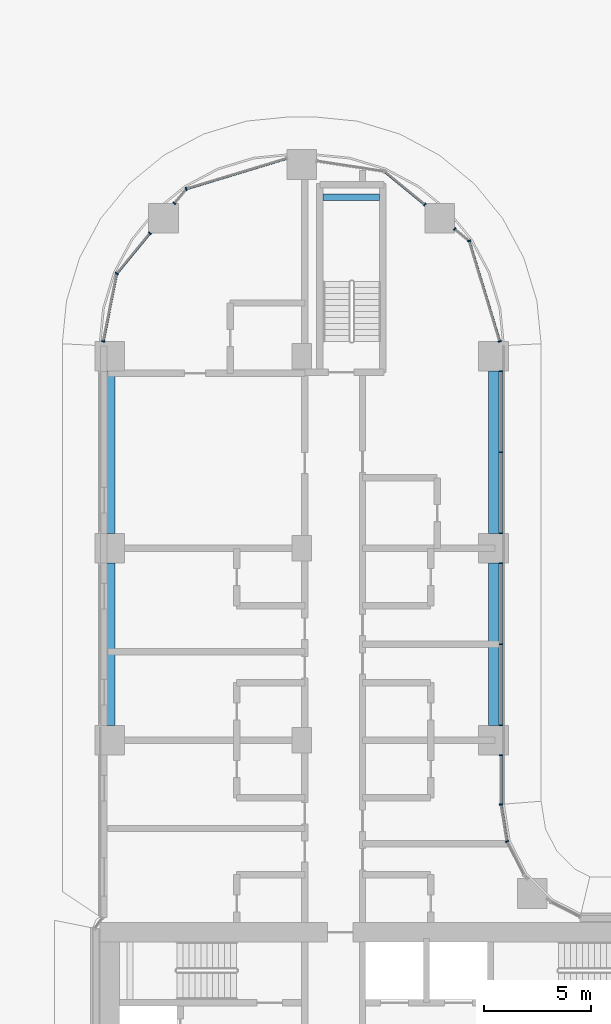
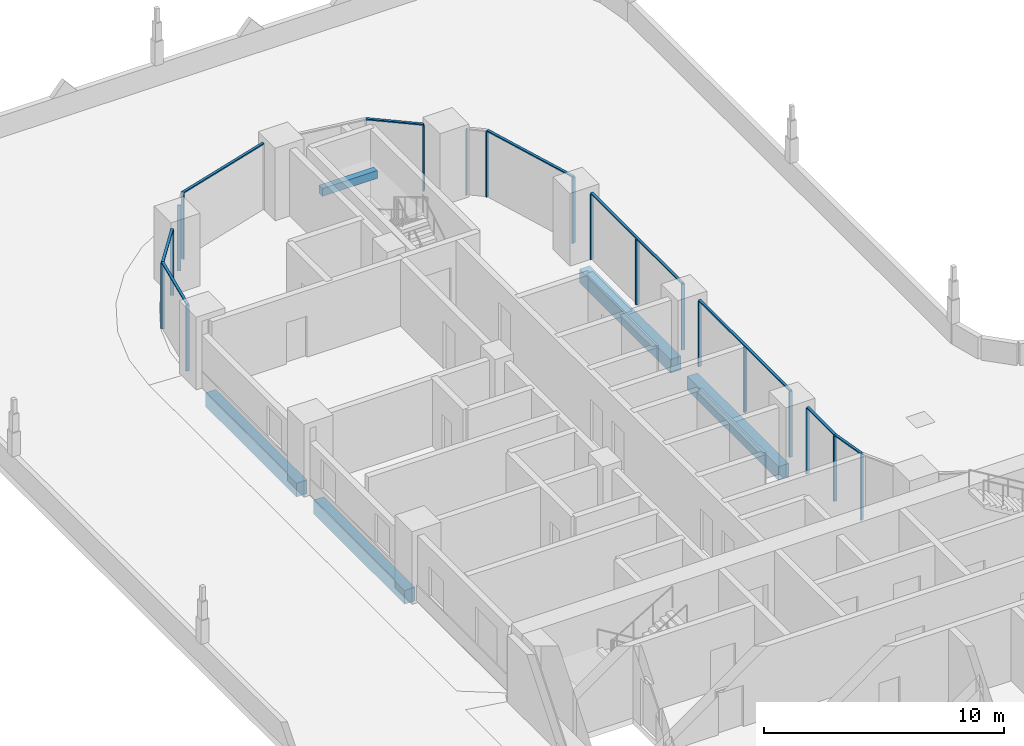
# One storey, part 5 of 51: 27 members, 5 beams, 8 elements without a shape of their own.
"""IFC4 building model written with IfcOpenShell, lengths in metres."""

from ifc_helpers import new_model, si_unit, direction, frame, origin, origin_2d, place, context, subcontext, project, spatial, rectangle, extrude, material, material_profile, profile_set, type_object, element, aggregate, save


model = new_model("IFC4")

# Units and contexts
model_context = context("Model", 3, precision=1e-05, world=origin(), true_north=direction((0.0, 1.0)))
body_context = subcontext(model_context, "Body", "Model", "MODEL_VIEW")
ifc_project = project(units=[si_unit("LENGTHUNIT", "METRE"), si_unit("AREAUNIT", "SQUARE_METRE"), si_unit("VOLUMEUNIT", "CUBIC_METRE"), si_unit("PLANEANGLEUNIT", "RADIAN"), si_unit("MASSUNIT", "GRAM", prefix="KILO")], contexts=[model_context])

# Site, building, storey
site_placement = place(None, origin())
site = spatial("IfcSite", under=ifc_project, at=site_placement, CompositionType="ELEMENT")
building_placement = place(site_placement, origin())
building = spatial("IfcBuilding", under=site, at=building_placement, Name="Ogive Portal Towers", CompositionType="ELEMENT")
storey_placement = place(building_placement, frame((0.0, 0.0, 33.5)))
storey = spatial("IfcBuildingStorey", under=building, at=storey_placement, Name="L06", CompositionType="ELEMENT", Elevation=33.5)

# Beam
ifc_material_1 = material(Name="Concrete C40/50", Category="concrete")
ifc_material_profile_1 = material_profile(ifc_material_1, rectangle(XDim=0.300048828125, YDim=0.39990234375, at=origin_2d()), Name="RC 300x400")
ifc_profile_set_1 = profile_set([ifc_material_profile_1], Name="Concrete C40/50")
beam_type_1 = type_object("IfcBeamType", Name="BEAM RC 300x400", PredefinedType="BEAM", material=ifc_profile_set_1)
beam_placement = place(storey_placement, frame((41.5, 73.949951171875, 1.449951171875), z_axis=(1.0, 0.0, 0.0), x_axis=(0.0, 1.0, 0.0)))
element("IfcBeam", 1, at=beam_placement, inside=storey, type_object=beam_type_1, Name="Landing beam L06", PredefinedType="BEAM", context=body_context, shape_type="SweptSolid", body=[
    extrude(rectangle(XDim=0.300048828125, YDim=0.39990234375, at=origin_2d()), origin(), (0.0, 0.0, 1.0), 2.64990234375),
])

# Curtain wall, members
ifc_material_2 = material(Name="Glass, clear low-iron insulated glazing", Category="glass")
curtain_wall_type = type_object("IfcCurtainWallType", Name="CW FRONT RIBBON 4500", PredefinedType="NOTDEFINED", material=ifc_material_2)
curtain_wall_1_placement = place(storey_placement, origin())
curtain_wall_1 = element("IfcCurtainWall", 2, at=curtain_wall_1_placement, inside=storey, type_object=curtain_wall_type, Name="A:L06:f06:cw0~0", PredefinedType="NOTDEFINED")
ifc_material_3 = material(Name="Aluminium 6063 anodised", Category="aluminium")
ifc_material_profile_2 = material_profile(ifc_material_3, rectangle(XDim=0.159912109375, YDim=0.06005859375, at=origin_2d()), Name="AL 60x160")
ifc_profile_set_2 = profile_set([ifc_material_profile_2], Name="Aluminium 6063 anodised")
member_type_1 = type_object("IfcMemberType", Name="CW MULLION 60x160", PredefinedType="MULLION", material=ifc_profile_set_2)
member_1_placement = place(storey_placement, frame((49.844970703125, 45.49365234375, 0.0), z_axis=(0.0, 0.0, 1.0), x_axis=(-1.0, 0.0, 0.0)))
member_1 = element("IfcMember", 3, at=member_1_placement, type_object=member_type_1, Name="mullion", PredefinedType="MULLION", context=body_context, shape_type="SweptSolid", body=[
    extrude(rectangle(XDim=0.159912109375, YDim=0.06005859375, at=origin_2d()), origin(), (0.0, 0.0, 1.0), 3.340087890625),
])
member_2_placement = place(storey_placement, frame((49.844970703125, 47.800048828125, 0.0), z_axis=(0.0, 0.0, 1.0), x_axis=(-1.0, 0.0, 0.0)))
member_2 = element("IfcMember", 4, at=member_2_placement, type_object=member_type_1, Name="mullion", PredefinedType="MULLION", context=body_context, shape_type="SweptSolid", body=[
    extrude(rectangle(XDim=0.159912109375, YDim=0.06005859375, at=origin_2d()), origin(), (0.0, 0.0, 1.0), 3.340087890625),
])

curtain_wall_2_placement = place(storey_placement, origin())
curtain_wall_2 = element("IfcCurtainWall", 5, at=curtain_wall_2_placement, inside=storey, type_object=curtain_wall_type, Name="A:L06:f06:cw0~1", PredefinedType="NOTDEFINED")
member_3_placement = place(storey_placement, frame((49.844970703125, 49.199951171875, 0.0), z_axis=(0.0, 0.0, 1.0), x_axis=(-1.0, 0.0, 0.0)))
member_3 = element("IfcMember", 6, at=member_3_placement, type_object=member_type_1, Name="mullion", PredefinedType="MULLION", context=body_context, shape_type="SweptSolid", body=[
    extrude(rectangle(XDim=0.159912109375, YDim=0.06005859375, at=origin_2d()), origin(), (0.0, 0.0, 1.0), 3.340087890625),
])
member_4_placement = place(storey_placement, frame((49.844970703125, 53.0, 0.0), z_axis=(0.0, 0.0, 1.0), x_axis=(-1.0, 0.0, 0.0)))
member_4 = element("IfcMember", 7, at=member_4_placement, type_object=member_type_1, Name="mullion", PredefinedType="MULLION", context=body_context, shape_type="SweptSolid", body=[
    extrude(rectangle(XDim=0.159912109375, YDim=0.06005859375, at=origin_2d()), origin(), (0.0, 0.0, 1.0), 3.340087890625),
])
member_5_placement = place(storey_placement, frame((49.844970703125, 56.800048828125, 0.0), z_axis=(0.0, 0.0, 1.0), x_axis=(-1.0, 0.0, 0.0)))
member_5 = element("IfcMember", 8, at=member_5_placement, type_object=member_type_1, Name="mullion", PredefinedType="MULLION", context=body_context, shape_type="SweptSolid", body=[
    extrude(rectangle(XDim=0.159912109375, YDim=0.06005859375, at=origin_2d()), origin(), (0.0, 0.0, 1.0), 3.340087890625),
])

curtain_wall_3_placement = place(storey_placement, origin())
curtain_wall_3 = element("IfcCurtainWall", 9, at=curtain_wall_3_placement, inside=storey, type_object=curtain_wall_type, Name="A:L06:f06:cw0~2", PredefinedType="NOTDEFINED")
member_6_placement = place(storey_placement, frame((49.844970703125, 58.199951171875, 0.0), z_axis=(0.0, 0.0, 1.0), x_axis=(-1.0, 0.0, 0.0)))
member_6 = element("IfcMember", 10, at=member_6_placement, type_object=member_type_1, Name="mullion", PredefinedType="MULLION", context=body_context, shape_type="SweptSolid", body=[
    extrude(rectangle(XDim=0.159912109375, YDim=0.06005859375, at=origin_2d()), origin(), (0.0, 0.0, 1.0), 3.340087890625),
])
member_7_placement = place(storey_placement, frame((49.844970703125, 62.0, 0.0), z_axis=(0.0, 0.0, 1.0), x_axis=(-1.0, 0.0, 0.0)))
member_7 = element("IfcMember", 11, at=member_7_placement, type_object=member_type_1, Name="mullion", PredefinedType="MULLION", context=body_context, shape_type="SweptSolid", body=[
    extrude(rectangle(XDim=0.159912109375, YDim=0.06005859375, at=origin_2d()), origin(), (0.0, 0.0, 1.0), 3.340087890625),
])
member_8_placement = place(storey_placement, frame((49.844970703125, 65.800048828125, 0.0), z_axis=(0.0, 0.0, 1.0), x_axis=(-1.0, 0.0, 0.0)))
member_8 = element("IfcMember", 12, at=member_8_placement, type_object=member_type_1, Name="mullion", PredefinedType="MULLION", context=body_context, shape_type="SweptSolid", body=[
    extrude(rectangle(XDim=0.159912109375, YDim=0.06005859375, at=origin_2d()), origin(), (0.0, 0.0, 1.0), 3.340087890625),
])

# Curtain wall, member
curtain_wall_4_placement = place(storey_placement, origin())
curtain_wall_4 = element("IfcCurtainWall", 13, at=curtain_wall_4_placement, inside=storey, type_object=curtain_wall_type, Name="A:L06:f02:cwa~1", PredefinedType="NOTDEFINED")
member_9_placement = place(storey_placement, frame((50.120849609375, 43.752197265625, 0.0), z_axis=(0.0, 0.0, 1.0), x_axis=(-0.891006524188, -0.45399049974, 0.0)))
member_9 = element("IfcMember", 14, at=member_9_placement, type_object=member_type_1, Name="mullion", PredefinedType="MULLION", context=body_context, shape_type="SweptSolid", body=[
    extrude(rectangle(XDim=0.159912109375, YDim=0.06005859375, at=origin_2d()), origin(), (0.0, 0.0, 1.0), 3.340087890625),
])

# Curtain wall, members
curtain_wall_5_placement = place(storey_placement, origin())
curtain_wall_5 = element("IfcCurtainWall", 15, at=curtain_wall_5_placement, inside=storey, type_object=curtain_wall_type, Name="A:L06:f07:cwa~0", PredefinedType="NOTDEFINED")
member_10_placement = place(storey_placement, frame((49.78076171875, 67.199951171875, 0.0), z_axis=(0.0, 0.0, 1.0), x_axis=(-0.956940335732, -0.290284677254, 0.0)))
member_10 = element("IfcMember", 16, at=member_10_placement, type_object=member_type_1, Name="mullion", PredefinedType="MULLION", context=body_context, shape_type="SweptSolid", body=[
    extrude(rectangle(XDim=0.159912109375, YDim=0.06005859375, at=origin_2d()), origin(), (0.0, 0.0, 1.0), 3.340087890625),
])
member_11_placement = place(storey_placement, frame((48.351318359375, 71.912109375, 0.0), z_axis=(0.0, 0.0, 1.0), x_axis=(-0.956940335732, -0.290284677254, 0.0)))
member_11 = element("IfcMember", 17, at=member_11_placement, type_object=member_type_1, Name="mullion", PredefinedType="MULLION", context=body_context, shape_type="SweptSolid", body=[
    extrude(rectangle(XDim=0.159912109375, YDim=0.06005859375, at=origin_2d()), origin(), (0.0, 0.0, 1.0), 3.340087890625),
])
member_12_placement = place(storey_placement, frame((47.673095703125, 72.46875, 0.0), z_axis=(0.0, 0.0, 1.0), x_axis=(-0.634393284164, -0.773010453363, 0.0)))
member_12 = element("IfcMember", 18, at=member_12_placement, type_object=member_type_1, Name="mullion", PredefinedType="MULLION", context=body_context, shape_type="SweptSolid", body=[
    extrude(rectangle(XDim=0.159912109375, YDim=0.06005859375, at=origin_2d()), origin(), (0.0, 0.0, 1.0), 3.340087890625),
])

# Curtain wall, member
curtain_wall_6_placement = place(storey_placement, origin())
curtain_wall_6 = element("IfcCurtainWall", 19, at=curtain_wall_6_placement, inside=storey, type_object=curtain_wall_type, Name="A:L06:f07:cwa~1", PredefinedType="NOTDEFINED")
member_13_placement = place(storey_placement, frame((46.27294921875, 73.61767578125, 0.0), z_axis=(0.0, 0.0, 1.0), x_axis=(-0.634393284164, -0.773010453363, 0.0)))
member_13 = element("IfcMember", 20, at=member_13_placement, type_object=member_type_1, Name="mullion", PredefinedType="MULLION", context=body_context, shape_type="SweptSolid", body=[
    extrude(rectangle(XDim=0.159912109375, YDim=0.06005859375, at=origin_2d()), origin(), (0.0, 0.0, 1.0), 3.340087890625),
])

# Curtain wall, members
curtain_wall_7_placement = place(storey_placement, origin())
curtain_wall_7 = element("IfcCurtainWall", 21, at=curtain_wall_7_placement, inside=storey, type_object=curtain_wall_type, Name="A:L06:f07:cwa~2", PredefinedType="NOTDEFINED")
member_14_placement = place(storey_placement, frame((35.087890625, 74.351318359375, 0.0), z_axis=(0.0, 0.0, 1.0), x_axis=(0.290284677254, -0.956940335732, 0.0)))
member_14 = element("IfcMember", 22, at=member_14_placement, type_object=member_type_1, Name="mullion", PredefinedType="MULLION", context=body_context, shape_type="SweptSolid", body=[
    extrude(rectangle(XDim=0.159912109375, YDim=0.06005859375, at=origin_2d()), origin(), (0.0, 0.0, 1.0), 3.340087890625),
])
member_15_placement = place(storey_placement, frame((34.53125, 73.673095703125, 0.0), z_axis=(0.0, 0.0, 1.0), x_axis=(0.773010453363, -0.634393284164, 0.0)))
member_15 = element("IfcMember", 23, at=member_15_placement, type_object=member_type_1, Name="mullion", PredefinedType="MULLION", context=body_context, shape_type="SweptSolid", body=[
    extrude(rectangle(XDim=0.159912109375, YDim=0.06005859375, at=origin_2d()), origin(), (0.0, 0.0, 1.0), 3.340087890625),
])

curtain_wall_8_placement = place(storey_placement, origin())
curtain_wall_8 = element("IfcCurtainWall", 24, at=curtain_wall_8_placement, inside=storey, type_object=curtain_wall_type, Name="A:L06:f07:cwa~3", PredefinedType="NOTDEFINED")
member_16_placement = place(storey_placement, frame((33.38232421875, 72.27294921875, 0.0), z_axis=(0.0, 0.0, 1.0), x_axis=(0.773010453363, -0.634393284164, 0.0)))
member_16 = element("IfcMember", 25, at=member_16_placement, type_object=member_type_1, Name="mullion", PredefinedType="MULLION", context=body_context, shape_type="SweptSolid", body=[
    extrude(rectangle(XDim=0.159912109375, YDim=0.06005859375, at=origin_2d()), origin(), (0.0, 0.0, 1.0), 3.340087890625),
])
member_17_placement = place(storey_placement, frame((31.828857421875, 70.380126953125, 0.0), z_axis=(0.0, 0.0, 1.0), x_axis=(0.773010453363, -0.634393284164, 0.0)))
member_17 = element("IfcMember", 26, at=member_17_placement, type_object=member_type_1, Name="mullion", PredefinedType="MULLION", context=body_context, shape_type="SweptSolid", body=[
    extrude(rectangle(XDim=0.159912109375, YDim=0.06005859375, at=origin_2d()), origin(), (0.0, 0.0, 1.0), 3.340087890625),
])
member_18_placement = place(storey_placement, frame((31.1962890625, 67.199951171875, 0.0), z_axis=(0.0, 0.0, 1.0), x_axis=(0.980785280403, -0.195090322016, 0.0)))
member_18 = element("IfcMember", 27, at=member_18_placement, type_object=member_type_1, Name="mullion", PredefinedType="MULLION", context=body_context, shape_type="SweptSolid", body=[
    extrude(rectangle(XDim=0.159912109375, YDim=0.06005859375, at=origin_2d()), origin(), (0.0, 0.0, 1.0), 3.340087890625),
])

# Member
ifc_material_profile_3 = material_profile(ifc_material_3, rectangle(XDim=0.1201171875, YDim=0.06005859375, at=origin_2d()), Name="AL 120x60")
ifc_profile_set_3 = profile_set([ifc_material_profile_3], Name="Aluminium 6063 anodised")
member_type_2 = type_object("IfcMemberType", Name="CW TRANSOM 60x120", PredefinedType="USERDEFINED", material=ifc_profile_set_3)
member_19_placement = place(storey_placement, frame((49.844970703125, 45.49365234375, 3.3701171875), z_axis=(0.0, 1.0, 0.0), x_axis=(-1.0, 0.0, 0.0)))
member_19 = element("IfcMember", 28, at=member_19_placement, type_object=member_type_2, Name="transom", ObjectType="TRANSOM", PredefinedType="USERDEFINED", context=body_context, shape_type="SweptSolid", body=[
    extrude(rectangle(XDim=0.1201171875, YDim=0.06005859375, at=origin_2d()), origin(), (0.0, 0.0, 1.0), 2.306396484375),
])

aggregate(curtain_wall_1, [member_19, member_1, member_2])

member_20_placement = place(storey_placement, frame((49.844970703125, 49.199951171875, 3.3701171875), z_axis=(0.0, 1.0, 0.0), x_axis=(-1.0, 0.0, 0.0)))
member_20 = element("IfcMember", 29, at=member_20_placement, type_object=member_type_2, Name="transom", ObjectType="TRANSOM", PredefinedType="USERDEFINED", context=body_context, shape_type="SweptSolid", body=[
    extrude(rectangle(XDim=0.1201171875, YDim=0.06005859375, at=origin_2d()), origin(), (0.0, 0.0, 1.0), 7.60009765625),
])

aggregate(curtain_wall_2, [member_20, member_3, member_4, member_5])

member_21_placement = place(storey_placement, frame((49.844970703125, 58.199951171875, 3.3701171875), z_axis=(0.0, 1.0, 0.0), x_axis=(-1.0, 0.0, 0.0)))
member_21 = element("IfcMember", 30, at=member_21_placement, type_object=member_type_2, Name="transom", ObjectType="TRANSOM", PredefinedType="USERDEFINED", context=body_context, shape_type="SweptSolid", body=[
    extrude(rectangle(XDim=0.1201171875, YDim=0.06005859375, at=origin_2d()), origin(), (0.0, 0.0, 1.0), 7.60009765625),
])

aggregate(curtain_wall_3, [member_21, member_6, member_7, member_8])

member_22_placement = place(storey_placement, frame((50.120849609375, 43.752197265625, 3.3701171875), z_axis=(-0.156467395285, 0.987683124394, 0.0), x_axis=(-0.987683124394, -0.156467395285, 0.0)))
member_22 = element("IfcMember", 31, at=member_22_placement, type_object=member_type_2, Name="transom", ObjectType="TRANSOM", PredefinedType="USERDEFINED", context=body_context, shape_type="SweptSolid", body=[
    extrude(rectangle(XDim=0.1201171875, YDim=0.06005859375, at=origin_2d()), origin(), (0.0, 0.0, 1.0), 1.76318359375),
])

aggregate(curtain_wall_4, [member_22, member_9])

member_23_placement = place(storey_placement, frame((49.78076171875, 67.199951171875, 3.3701171875), z_axis=(-0.290289474403, 0.95693888052, 0.0), x_axis=(-0.95693888052, -0.290289474403, 0.0)))
member_23 = element("IfcMember", 32, at=member_23_placement, type_object=member_type_2, Name="transom", ObjectType="TRANSOM", PredefinedType="USERDEFINED", context=body_context, shape_type="SweptSolid", body=[
    extrude(rectangle(XDim=0.1201171875, YDim=0.06005859375, at=origin_2d()), origin(), (0.0, 0.0, 1.0), 4.92431640625),
])

aggregate(curtain_wall_5, [member_23, member_10, member_11, member_12])

member_24_placement = place(storey_placement, frame((46.27294921875, 73.61767578125, 3.3701171875), z_axis=(-0.773000598062, 0.634405292692, 0.0), x_axis=(-0.634405292692, -0.773000598062, 0.0)))
member_24 = element("IfcMember", 33, at=member_24_placement, type_object=member_type_2, Name="transom", ObjectType="TRANSOM", PredefinedType="USERDEFINED", context=body_context, shape_type="SweptSolid", body=[
    extrude(rectangle(XDim=0.1201171875, YDim=0.06005859375, at=origin_2d()), origin(), (0.0, 0.0, 1.0), 2.44677734375),
])

aggregate(curtain_wall_6, [member_24, member_13])

member_25_placement = place(storey_placement, frame((39.800048828125, 75.78076171875, 3.3701171875), z_axis=(-0.95693888052, -0.290289474403, 0.0), x_axis=(0.290289474403, -0.95693888052, 0.0)))
member_25 = element("IfcMember", 34, at=member_25_placement, type_object=member_type_2, Name="transom", ObjectType="TRANSOM", PredefinedType="USERDEFINED", context=body_context, shape_type="SweptSolid", body=[
    extrude(rectangle(XDim=0.1201171875, YDim=0.06005859375, at=origin_2d()), origin(), (0.0, 0.0, 1.0), 4.92431640625),
])

aggregate(curtain_wall_7, [member_25, member_14, member_15])

member_26_placement = place(storey_placement, frame((33.38232421875, 72.27294921875, 3.3701171875), z_axis=(-0.634409806791, -0.772996893297, 0.0), x_axis=(0.772996893297, -0.634409806791, 0.0)))
member_26 = element("IfcMember", 35, at=member_26_placement, type_object=member_type_2, Name="transom", ObjectType="TRANSOM", PredefinedType="USERDEFINED", context=body_context, shape_type="SweptSolid", body=[
    extrude(rectangle(XDim=0.1201171875, YDim=0.06005859375, at=origin_2d()), origin(), (0.0, 0.0, 1.0), 2.44873046875),
])

member_27_placement = place(storey_placement, frame((31.828857421875, 70.380126953125, 3.3701171875), z_axis=(-0.195087968263, -0.980785748591, 0.0), x_axis=(0.980785748591, -0.195087968263, 0.0)))
member_27 = element("IfcMember", 36, at=member_27_placement, type_object=member_type_2, Name="transom", ObjectType="TRANSOM", PredefinedType="USERDEFINED", context=body_context, shape_type="SweptSolid", body=[
    extrude(rectangle(XDim=0.1201171875, YDim=0.06005859375, at=origin_2d()), origin(), (0.0, 0.0, 1.0), 3.242431640625),
])

aggregate(curtain_wall_8, [member_26, member_27, member_16, member_17, member_18])

# Beams
ifc_material_profile_4 = material_profile(ifc_material_1, rectangle(XDim=0.5, YDim=0.699951171875, at=origin_2d()), Name="RC 500x700")
ifc_profile_set_4 = profile_set([ifc_material_profile_4], Name="Concrete C40/50")
beam_type_2 = type_object("IfcBeamType", Name="SPANDREL BEAM RC 500x700", PredefinedType="BEAM", material=ifc_profile_set_4)
for number, where, z_axis, x_axis, name in (
    (37, (31.5, 49.199951171875, -0.64990234375), (0.0, 1.0, 0.0), (-1.0, 0.0, 0.0), "Spandrel beam L06"),
    (38, (31.5, 58.199951171875, -0.64990234375), (0.0, 1.0, 0.0), (-1.0, 0.0, 0.0), "Spandrel beam L06"),
    (39, (49.5, 65.800048828125, -0.64990234375), (0.0, -1.0, 0.0), (1.0, 0.0, 0.0), "Spandrel beam L06"),
    (40, (49.5, 56.800048828125, -0.64990234375), (0.0, -1.0, 0.0), (1.0, 0.0, 0.0), "Spandrel beam L06"),
):
    element("IfcBeam", number, at=place(storey_placement, frame(where, z_axis=z_axis, x_axis=x_axis)), inside=storey, type_object=beam_type_2, Name=name, PredefinedType="BEAM", context=body_context, shape_type="SweptSolid", body=[
        extrude(rectangle(XDim=0.5, YDim=0.699951171875, at=origin_2d()), origin(), (0.0, 0.0, 1.0), 7.60009765625),
    ])

save(model, "model.ifc")
